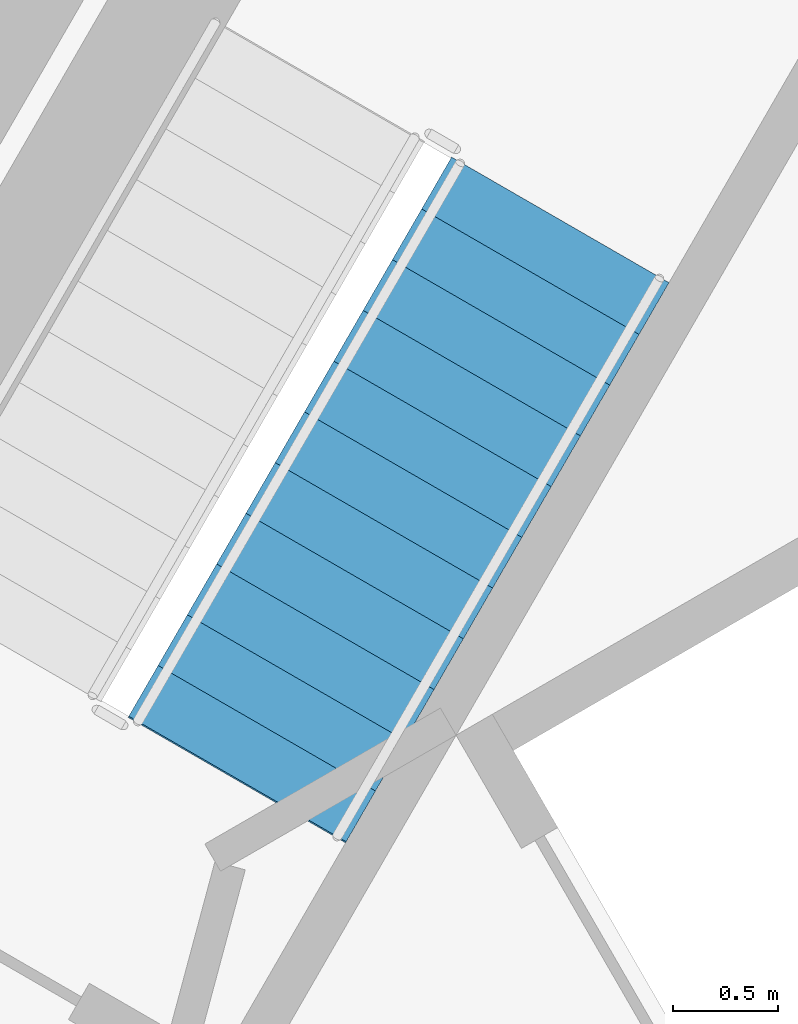
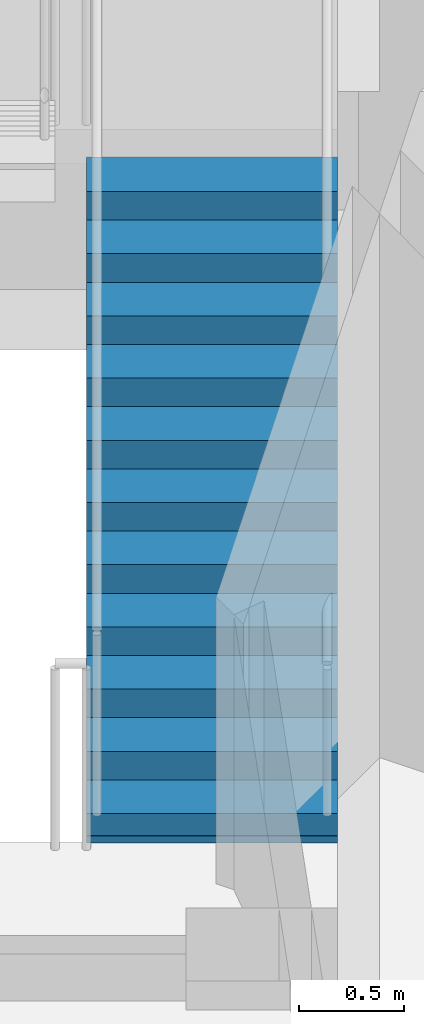
# One storey, part 9 of 13: 1 stair flight, 1 element without a shape of its own.
"""IFC4 building model written with IfcOpenShell, lengths in metres."""

from ifc_helpers import new_model, si_unit, direction, frame, origin, place, context, subcontext, project, spatial, polyline, outline, extrude, material, layer, layer_set, type_object, element, aggregate, save


model = new_model("IFC4")

# Units and contexts
model_context = context("Model", 3, precision=1e-05, world=origin(), true_north=direction((0.0, 1.0)))
body_context = subcontext(model_context, "Body", "Model", "MODEL_VIEW")
ifc_project = project(units=[si_unit("LENGTHUNIT", "METRE"), si_unit("AREAUNIT", "SQUARE_METRE"), si_unit("VOLUMEUNIT", "CUBIC_METRE"), si_unit("PLANEANGLEUNIT", "RADIAN"), si_unit("MASSUNIT", "GRAM", prefix="KILO")], contexts=[model_context])

# Site, building, storey
site_placement = place(None, origin())
site = spatial("IfcSite", under=ifc_project, at=site_placement, CompositionType="ELEMENT")
building_placement = place(site_placement, origin())
building = spatial("IfcBuilding", under=site, at=building_placement, Name="Tramontana Tower", CompositionType="ELEMENT")
storey_placement = place(building_placement, frame((0.0, 0.0, 224.0)))
storey = spatial("IfcBuildingStorey", under=building, at=storey_placement, Name="L52", CompositionType="ELEMENT", Elevation=224.0)

# Stair, stair flight
ifc_material_1 = material(Name="Concrete 40 MPa", Category="concrete")
stair_type = type_object("IfcStairType", Name="EXIT STAIR 24 RISERS", PredefinedType="HALF_TURN_STAIR", material=ifc_material_1)
stair_placement = place(storey_placement, origin())
stair = element("IfcStair", 1, at=stair_placement, inside=storey, type_object=stair_type, Name="L52 Exit stair ST1", PredefinedType="HALF_TURN_STAIR")
ifc_material_2 = material(Name="Concrete 40 MPa", Category="concrete")
ifc_layer = layer(ifc_material_2, 0.14990234375)
ifc_layer_set = layer_set([ifc_layer], Name="EXIT STAIR FLIGHT")
stair_flight_type = type_object("IfcStairFlightType", Name="EXIT STAIR FLIGHT", PredefinedType="STRAIGHT", material=ifc_layer_set)
stair_flight_placement = place(storey_placement, frame((-1.39111328125, 4.590576171875, 0.0), z_axis=(0.0, 0.0, 1.0), x_axis=(0.5, 0.866025403784, 0.0)))
stair_flight = element("IfcStairFlight", 2, at=stair_flight_placement, type_object=stair_flight_type, Name="ST1 flight 1", NumberOfRisers=12, NumberOfTreads=11, PredefinedType="STRAIGHT", RiserHeight=0.166666667, TreadLength=0.28, context=body_context, shape_type="SweptSolid", body=[
    extrude(outline(polyline([(-0.006103515625, 0.0), (-0.006103515625, 0.0400390625), (0.0, 0.0400390625), (0.0, 0.166748046875), (0.280029296875, 0.166748046875), (0.280029296875, 0.333251953125), (0.56005859375, 0.333251953125), (0.56005859375, 0.5), (0.840087890625, 0.5), (0.840087890625, 0.666748046875), (1.1201171875, 0.666748046875), (1.1201171875, 0.833251953125), (1.39990234375, 0.833251953125), (1.39990234375, 1.0), (1.679931640625, 1.0), (1.679931640625, 1.166748046875), (1.9599609375, 1.166748046875), (1.9599609375, 1.333251953125), (2.239990234375, 1.333251953125), (2.239990234375, 1.5), (2.52001953125, 1.5), (2.52001953125, 1.666748046875), (2.800048828125, 1.666748046875), (2.800048828125, 1.833251953125), (3.080078125, 1.833251953125), (3.0859375, 1.833251953125), (3.0859375, 1.658935546875), (0.299072265625, 0.0), (-0.006103515625, 0.0)])), frame((0.0, 0.60009765625, 0.0), z_axis=(0.0, -1.0, 0.0), x_axis=(1.0, 0.0, 0.0)), (0.0, 0.0, 1.0), 1.199951171875),
])
aggregate(stair, [stair_flight])

save(model, "model.ifc")
